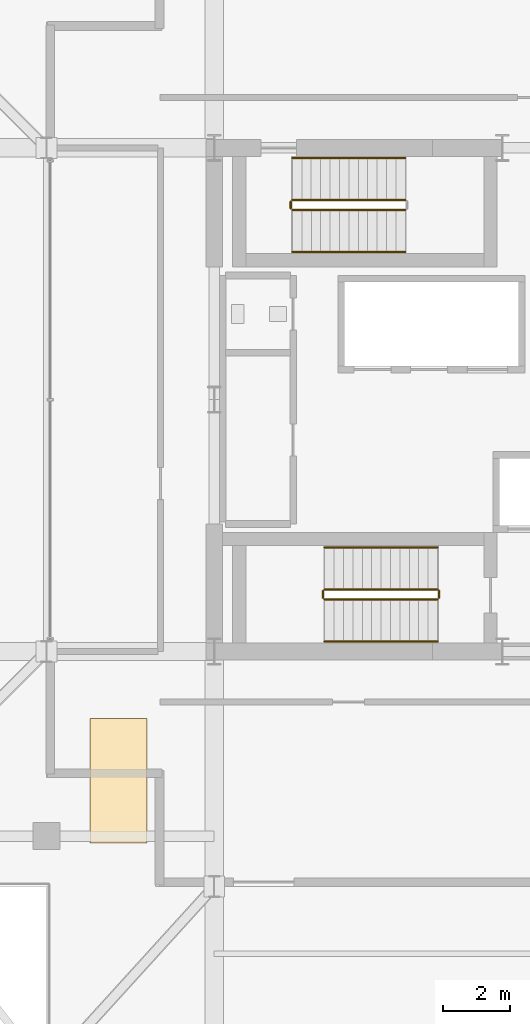
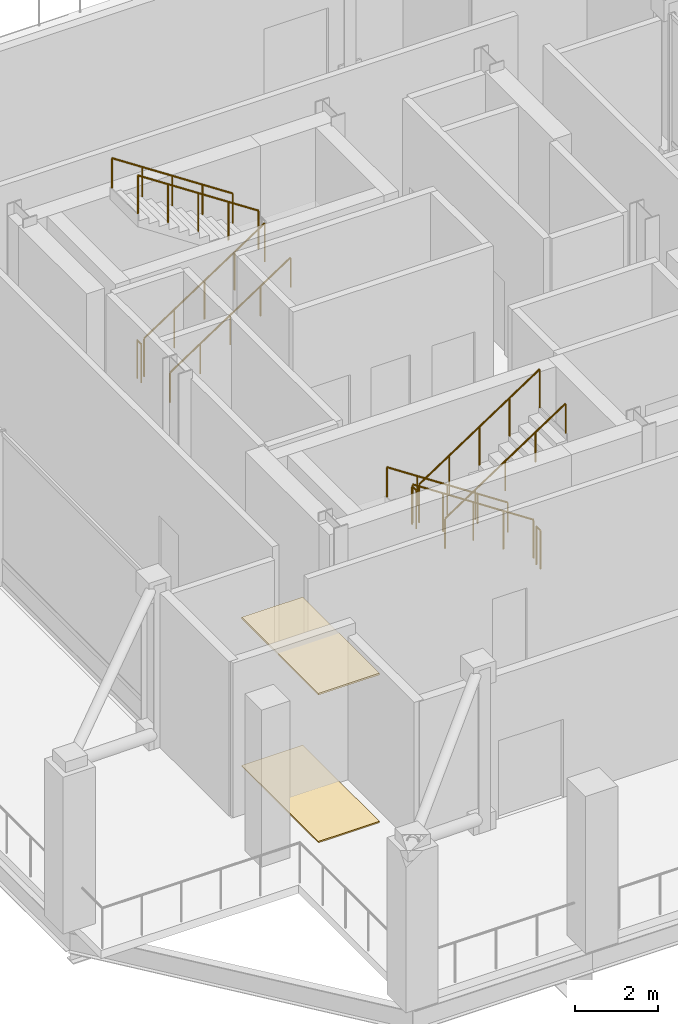
# One storey, part 14 of 17: 11 railings, 2 coverings.
"""IFC4 building model written with IfcOpenShell, lengths in metres."""

from ifc_helpers import new_model, si_unit, direction, frame, origin, origin_2d, place, context, subcontext, project, spatial, polyline, circle, outline, extrude, material, layer, layer_set, type_object, element, save


model = new_model("IFC4")

# Units and contexts
model_context = context("Model", 3, precision=1e-05, world=origin(), true_north=direction((0.0, 1.0)))
body_context = subcontext(model_context, "Body", "Model", "MODEL_VIEW")
ifc_project = project(units=[si_unit("LENGTHUNIT", "METRE"), si_unit("AREAUNIT", "SQUARE_METRE"), si_unit("VOLUMEUNIT", "CUBIC_METRE"), si_unit("PLANEANGLEUNIT", "RADIAN"), si_unit("MASSUNIT", "GRAM", prefix="KILO")], contexts=[model_context])

# Site, building, storey
site_placement = place(None, origin())
site = spatial("IfcSite", under=ifc_project, at=site_placement, CompositionType="ELEMENT")
building_placement = place(site_placement, origin())
building = spatial("IfcBuilding", under=site, at=building_placement, Name="Barlavira Tower and Art Museum", CompositionType="ELEMENT")
storey_placement = place(building_placement, frame((0.0, 0.0, 305.10009765625)))
storey = spatial("IfcBuildingStorey", under=building, at=storey_placement, Name="L80", CompositionType="ELEMENT", Elevation=305.10009765625)

# Covering
ifc_material_1 = material(Name="Polished Catarinense terrazzo", Category="concrete")
ifc_layer_1 = layer(ifc_material_1, 0.0400390625, Name="Polished Catarinense terrazzo")
ifc_layer_set_1 = layer_set([ifc_layer_1], Name="Polished Catarinense terrazzo")
covering_type_1 = type_object("IfcCoveringType", Name="Gallery Terrazzo Architectural Flooring 40", PredefinedType="FLOORING", material=ifc_layer_set_1)
covering_1_placement = place(storey_placement, origin())
element("IfcCovering", 1, at=covering_1_placement, inside=storey, type_object=covering_type_1, Name="L80 Lobby Terrazzo Flooring", PredefinedType="FLOORING", context=body_context, shape_type="SweptSolid", body=[
    extrude(outline(polyline([(-10.199951171875, -13.199951171875), (-8.5, -13.199951171875), (-8.5, -9.5), (-10.199951171875, -9.5), (-10.199951171875, -13.199951171875)])), origin(), (0.0, 0.0, 1.0), 0.039794921875),
])

# Railings
ifc_material_2 = material(Name="Brushed stainless steel", Category="steel")
railing_type_1 = type_object("IfcRailingType", Name="Interior Void and Landing Guard Railing 1150", PredefinedType="GUARDRAIL", material=ifc_material_2)
railing_1_placement = place(storey_placement, frame((0.14990234375, -5.64990234375, 0.1845703125)))
element("IfcRailing", 2, at=railing_1_placement, inside=storey, type_object=railing_type_1, Name="L80 ST-T1 stair guard 1", PredefinedType="GUARDRAIL", context=body_context, shape_type="SweptSolid", body=[
    extrude(circle(Radius=0.02392578125, at=origin_2d()), frame((0.0, 0.0, 1.1259765625), z_axis=(-0.834858096282, 0.0, 0.550465220583), x_axis=(0.0, -1.0, 0.0)), (0.0, 0.0, 1.0), 4.0244140625),
    extrude(circle(Radius=0.02099609375, at=origin_2d()), origin(), (0.0, 0.0, 1.0), 1.101806640625),
    extrude(circle(Radius=0.02099609375, at=origin_2d()), frame((-0.83984375, 0.0, 0.5537109375)), (0.0, 0.0, 1.0), 1.101806640625),
    extrude(circle(Radius=0.02099609375, at=origin_2d()), frame((-1.679931640625, 0.0, 1.107666015625)), (0.0, 0.0, 1.0), 1.101806640625),
    extrude(circle(Radius=0.02099609375, at=origin_2d()), frame((-2.52001953125, 0.0, 1.66162109375)), (0.0, 0.0, 1.0), 1.101806640625),
    extrude(circle(Radius=0.02099609375, at=origin_2d()), frame((-3.35986328125, 0.0, 2.21533203125)), (0.0, 0.0, 1.0), 1.101806640625),
])
railing_2_placement = place(storey_placement, frame((-3.260009765625, -5.699951171875, 2.39990234375)))
element("IfcRailing", 3, at=railing_2_placement, inside=storey, type_object=railing_type_1, Name="L80 ST-T1 stair guard 2", PredefinedType="GUARDRAIL", context=body_context, shape_type="SweptSolid", body=[
    extrude(circle(Radius=0.02392578125, at=origin_2d()), frame((0.0, 0.0, 1.1259765625), z_axis=(0.0, -1.0, 0.0), x_axis=(1.0, 0.0, 0.0)), (0.0, 0.0, 1.0), 0.199951171875),
    extrude(circle(Radius=0.02099609375, at=origin_2d()), origin(), (0.0, 0.0, 1.0), 1.101806640625),
    extrude(circle(Radius=0.02099609375, at=origin_2d()), frame((0.0, -0.199951171875, 0.0)), (0.0, 0.0, 1.0), 1.101806640625),
])
railing_3_placement = place(storey_placement, frame((-3.2099609375, -5.949951171875, 2.58447265625)))
element("IfcRailing", 4, at=railing_3_placement, inside=storey, type_object=railing_type_1, Name="L80 ST-T1 stair guard 3", PredefinedType="GUARDRAIL", context=body_context, shape_type="SweptSolid", body=[
    extrude(circle(Radius=0.02392578125, at=origin_2d()), frame((0.0, 0.0, 1.1259765625), z_axis=(0.834858096282, 0.0, 0.550465220583), x_axis=(0.0, 1.0, 0.0)), (0.0, 0.0, 1.0), 4.0244140625),
    extrude(circle(Radius=0.02099609375, at=origin_2d()), origin(), (0.0, 0.0, 1.0), 1.101806640625),
    extrude(circle(Radius=0.02099609375, at=origin_2d()), frame((0.83984375, 0.0, 0.5537109375)), (0.0, 0.0, 1.0), 1.101806640625),
    extrude(circle(Radius=0.02099609375, at=origin_2d()), frame((1.679931640625, 0.0, 1.107666015625)), (0.0, 0.0, 1.0), 1.101806640625),
    extrude(circle(Radius=0.02099609375, at=origin_2d()), frame((2.52001953125, 0.0, 1.66162109375)), (0.0, 0.0, 1.0), 1.101806640625),
    extrude(circle(Radius=0.02099609375, at=origin_2d()), frame((3.35986328125, 0.0, 2.21533203125)), (0.0, 0.0, 1.0), 1.101806640625),
])
railing_4_placement = place(storey_placement, frame((0.199951171875, -5.699951171875, 0.0)))
element("IfcRailing", 5, at=railing_4_placement, inside=storey, type_object=railing_type_1, Name="L80 ST-T1 stair guard 4", PredefinedType="GUARDRAIL", context=body_context, shape_type="SweptSolid", body=[
    extrude(circle(Radius=0.02392578125, at=origin_2d()), frame((0.0, 0.0, 1.1259765625), z_axis=(0.0, -1.0, 0.0), x_axis=(1.0, 0.0, 0.0)), (0.0, 0.0, 1.0), 0.199951171875),
    extrude(circle(Radius=0.02099609375, at=origin_2d()), origin(), (0.0, 0.0, 1.0), 1.101806640625),
    extrude(circle(Radius=0.02099609375, at=origin_2d()), frame((0.0, -0.199951171875, 0.0)), (0.0, 0.0, 1.0), 1.101806640625),
])
railing_5_placement = place(storey_placement, frame((-4.169921875, 5.64990234375, 0.1845703125)))
element("IfcRailing", 6, at=railing_5_placement, inside=storey, type_object=railing_type_1, Name="L80 ST-T2 stair guard 1", PredefinedType="GUARDRAIL", context=body_context, shape_type="SweptSolid", body=[
    extrude(circle(Radius=0.02392578125, at=origin_2d()), frame((0.0, 0.0, 1.1259765625), z_axis=(0.834858096282, 0.0, 0.550465220583), x_axis=(0.0, 1.0, 0.0)), (0.0, 0.0, 1.0), 4.0244140625),
    extrude(circle(Radius=0.02099609375, at=origin_2d()), origin(), (0.0, 0.0, 1.0), 1.101806640625),
    extrude(circle(Radius=0.02099609375, at=origin_2d()), frame((0.83984375, 0.0, 0.5537109375)), (0.0, 0.0, 1.0), 1.101806640625),
    extrude(circle(Radius=0.02099609375, at=origin_2d()), frame((1.679931640625, 0.0, 1.107666015625)), (0.0, 0.0, 1.0), 1.101806640625),
    extrude(circle(Radius=0.02099609375, at=origin_2d()), frame((2.52001953125, 0.0, 1.66162109375)), (0.0, 0.0, 1.0), 1.101806640625),
    extrude(circle(Radius=0.02099609375, at=origin_2d()), frame((3.35986328125, 0.0, 2.21533203125)), (0.0, 0.0, 1.0), 1.101806640625),
])
railing_6_placement = place(storey_placement, frame((-0.81005859375, 5.949951171875, 2.58447265625)))
element("IfcRailing", 7, at=railing_6_placement, inside=storey, type_object=railing_type_1, Name="L80 ST-T2 stair guard 3", PredefinedType="GUARDRAIL", context=body_context, shape_type="SweptSolid", body=[
    extrude(circle(Radius=0.02392578125, at=origin_2d()), frame((0.0, 0.0, 1.1259765625), z_axis=(-0.834858096282, 0.0, 0.550465220583), x_axis=(0.0, -1.0, 0.0)), (0.0, 0.0, 1.0), 4.0244140625),
    extrude(circle(Radius=0.02099609375, at=origin_2d()), origin(), (0.0, 0.0, 1.0), 1.101806640625),
    extrude(circle(Radius=0.02099609375, at=origin_2d()), frame((-0.83984375, 0.0, 0.5537109375)), (0.0, 0.0, 1.0), 1.101806640625),
    extrude(circle(Radius=0.02099609375, at=origin_2d()), frame((-1.679931640625, 0.0, 1.107666015625)), (0.0, 0.0, 1.0), 1.101806640625),
    extrude(circle(Radius=0.02099609375, at=origin_2d()), frame((-2.52001953125, 0.0, 1.66162109375)), (0.0, 0.0, 1.0), 1.101806640625),
    extrude(circle(Radius=0.02099609375, at=origin_2d()), frame((-3.35986328125, 0.0, 2.21533203125)), (0.0, 0.0, 1.0), 1.101806640625),
])
railing_7_placement = place(storey_placement, frame((-4.219970703125, 5.699951171875, 0.0)))
element("IfcRailing", 8, at=railing_7_placement, inside=storey, type_object=railing_type_1, Name="L80 ST-T2 stair guard 4", PredefinedType="GUARDRAIL", context=body_context, shape_type="SweptSolid", body=[
    extrude(circle(Radius=0.02392578125, at=origin_2d()), frame((0.0, 0.0, 1.1259765625), z_axis=(0.0, 1.0, 0.0), x_axis=(-1.0, 0.0, 0.0)), (0.0, 0.0, 1.0), 0.199951171875),
    extrude(circle(Radius=0.02099609375, at=origin_2d()), origin(), (0.0, 0.0, 1.0), 1.101806640625),
    extrude(circle(Radius=0.02099609375, at=origin_2d()), frame((0.0, 0.199951171875, 0.0)), (0.0, 0.0, 1.0), 1.101806640625),
])

# Covering
ifc_material_3 = material(Name="FSC acoustic timber slat", Category="wood")
ifc_layer_2 = layer(ifc_material_3, 0.050048828125, Name="FSC acoustic timber slat")
ifc_layer_set_2 = layer_set([ifc_layer_2], Name="FSC acoustic timber slat")
covering_type_2 = type_object("IfcCoveringType", Name="Lobby Acoustic Timber-Slat Suspended Ceiling 50", PredefinedType="CEILING", material=ifc_layer_set_2)
covering_2_placement = place(storey_placement, frame((0.0, 0.0, 4.349853515625)))
element("IfcCovering", 9, at=covering_2_placement, inside=storey, type_object=covering_type_2, Name="L80 Lobby Acoustic Timber Ceiling", PredefinedType="CEILING", context=body_context, shape_type="SweptSolid", body=[
    extrude(outline(polyline([(-10.199951171875, -13.199951171875), (-8.5, -13.199951171875), (-8.5, -9.5), (-10.199951171875, -9.5), (-10.199951171875, -13.199951171875)])), origin(), (0.0, 0.0, 1.0), 0.050048828125),
])

# Railings
railing_type_2 = type_object("IfcRailingType", Name="Stair Pitch Tubular Steel Handrail 920", PredefinedType="HANDRAIL", material=ifc_material_2)
railing_8_placement = place(storey_placement, frame((0.14990234375, -4.39990234375, 0.1845703125)))
element("IfcRailing", 10, at=railing_8_placement, inside=storey, type_object=railing_type_2, Name="L80 ST-T1 stair handrail 1", PredefinedType="HANDRAIL", context=body_context, shape_type="SweptSolid", body=[
    extrude(circle(Radius=0.02392578125, at=origin_2d()), frame((0.0, 0.0, 0.8759765625), z_axis=(-0.834858096282, 0.0, 0.550465220583), x_axis=(0.0, -1.0, 0.0)), (0.0, 0.0, 1.0), 4.0244140625),
    extrude(circle(Radius=0.02099609375, at=origin_2d()), origin(), (0.0, 0.0, 1.0), 0.851806640625),
    extrude(circle(Radius=0.02099609375, at=origin_2d()), frame((-0.83984375, 0.0, 0.5537109375)), (0.0, 0.0, 1.0), 0.851806640625),
    extrude(circle(Radius=0.02099609375, at=origin_2d()), frame((-1.679931640625, 0.0, 1.107666015625)), (0.0, 0.0, 1.0), 0.851806640625),
    extrude(circle(Radius=0.02099609375, at=origin_2d()), frame((-2.52001953125, 0.0, 1.66162109375)), (0.0, 0.0, 1.0), 0.851806640625),
    extrude(circle(Radius=0.02099609375, at=origin_2d()), frame((-3.35986328125, 0.0, 2.21533203125)), (0.0, 0.0, 1.0), 0.851806640625),
])
for number, where, name in (
    (11, (-3.2099609375, -7.199951171875, 2.58447265625), "L80 ST-T1 stair handrail 2"),
    (12, (-4.169921875, 4.39990234375, 0.1845703125), "L80 ST-T2 stair handrail 1"),
):
    element("IfcRailing", number, at=place(storey_placement, frame(where)), inside=storey, type_object=railing_type_2, Name=name, PredefinedType="HANDRAIL", context=body_context, shape_type="SweptSolid", body=[
        extrude(circle(Radius=0.02392578125, at=origin_2d()), frame((0.0, 0.0, 0.8759765625), z_axis=(0.834858096282, 0.0, 0.550465220583), x_axis=(0.0, 1.0, 0.0)), (0.0, 0.0, 1.0), 4.0244140625),
        extrude(circle(Radius=0.02099609375, at=origin_2d()), origin(), (0.0, 0.0, 1.0), 0.851806640625),
        extrude(circle(Radius=0.02099609375, at=origin_2d()), frame((0.83984375, 0.0, 0.5537109375)), (0.0, 0.0, 1.0), 0.851806640625),
        extrude(circle(Radius=0.02099609375, at=origin_2d()), frame((1.679931640625, 0.0, 1.107666015625)), (0.0, 0.0, 1.0), 0.851806640625),
        extrude(circle(Radius=0.02099609375, at=origin_2d()), frame((2.52001953125, 0.0, 1.66162109375)), (0.0, 0.0, 1.0), 0.851806640625),
        extrude(circle(Radius=0.02099609375, at=origin_2d()), frame((3.35986328125, 0.0, 2.21533203125)), (0.0, 0.0, 1.0), 0.851806640625),
    ])
railing_9_placement = place(storey_placement, frame((-0.81005859375, 7.199951171875, 2.58447265625)))
element("IfcRailing", 13, at=railing_9_placement, inside=storey, type_object=railing_type_2, Name="L80 ST-T2 stair handrail 2", PredefinedType="HANDRAIL", context=body_context, shape_type="SweptSolid", body=[
    extrude(circle(Radius=0.02392578125, at=origin_2d()), frame((0.0, 0.0, 0.8759765625), z_axis=(-0.834858096282, 0.0, 0.550465220583), x_axis=(0.0, -1.0, 0.0)), (0.0, 0.0, 1.0), 4.0244140625),
    extrude(circle(Radius=0.02099609375, at=origin_2d()), origin(), (0.0, 0.0, 1.0), 0.851806640625),
    extrude(circle(Radius=0.02099609375, at=origin_2d()), frame((-0.83984375, 0.0, 0.5537109375)), (0.0, 0.0, 1.0), 0.851806640625),
    extrude(circle(Radius=0.02099609375, at=origin_2d()), frame((-1.679931640625, 0.0, 1.107666015625)), (0.0, 0.0, 1.0), 0.851806640625),
    extrude(circle(Radius=0.02099609375, at=origin_2d()), frame((-2.52001953125, 0.0, 1.66162109375)), (0.0, 0.0, 1.0), 0.851806640625),
    extrude(circle(Radius=0.02099609375, at=origin_2d()), frame((-3.35986328125, 0.0, 2.21533203125)), (0.0, 0.0, 1.0), 0.851806640625),
])

save(model, "model.ifc")
